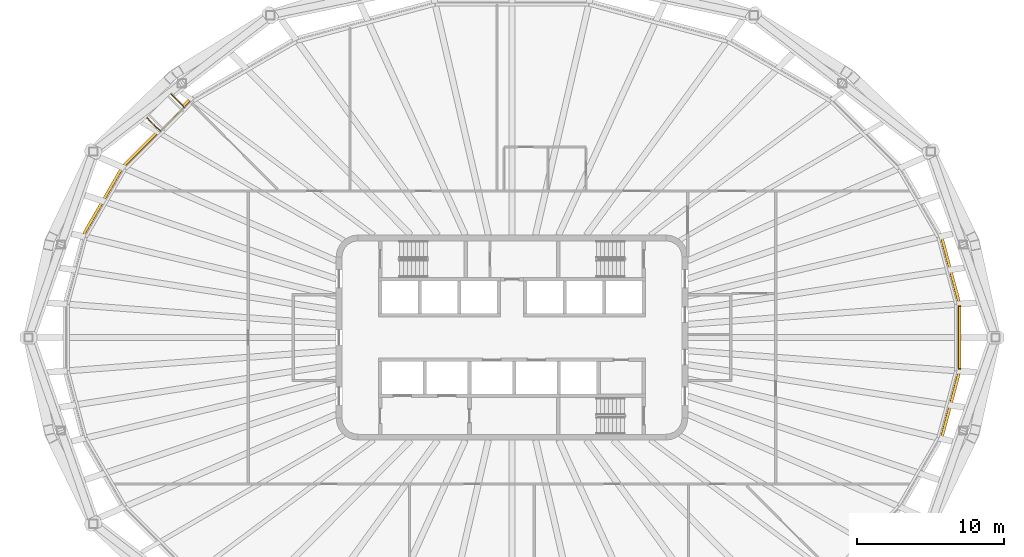
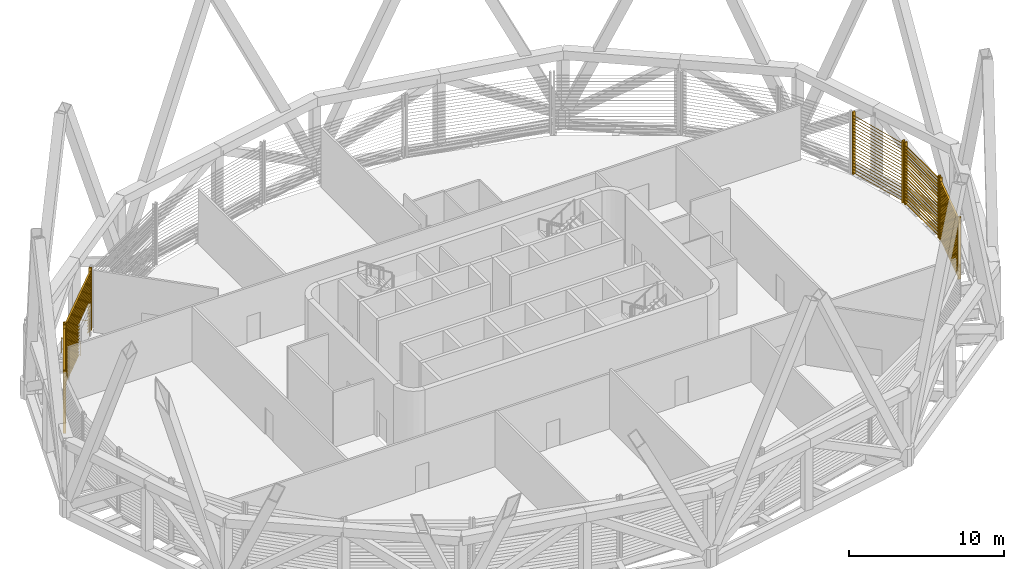
# One storey, part 15 of 17: 5 shading devices, 2 railings.
"""IFC4 building model written with IfcOpenShell, lengths in metres."""

from ifc_helpers import new_model, si_unit, direction, frame, origin, origin_2d, place, context, subcontext, project, spatial, rectangle, circle, extrude, material, type_object, element, save


model = new_model("IFC4")

# Units and contexts
model_context = context("Model", 3, precision=1e-05, world=origin(), true_north=direction((0.0, 1.0)))
body_context = subcontext(model_context, "Body", "Model", "MODEL_VIEW")
ifc_project = project(units=[si_unit("LENGTHUNIT", "METRE"), si_unit("AREAUNIT", "SQUARE_METRE"), si_unit("VOLUMEUNIT", "CUBIC_METRE"), si_unit("PLANEANGLEUNIT", "RADIAN"), si_unit("MASSUNIT", "GRAM", prefix="KILO")], contexts=[model_context])

# Site, building, storey
site_placement = place(None, origin())
site = spatial("IfcSite", under=ifc_project, at=site_placement, CompositionType="ELEMENT")
building_placement = place(site_placement, origin())
building = spatial("IfcBuilding", under=site, at=building_placement, Name="Sahrelin Media Tower", CompositionType="ELEMENT")
storey_placement = place(building_placement, frame((0.0, 0.0, 249.60009765625)))
storey = spatial("IfcBuildingStorey", under=building, at=storey_placement, Name="L54", CompositionType="ELEMENT", Elevation=249.60009765625)

# Railings
ifc_material_1 = material(Name="Stainless steel 316", Category="steel")
railing_type = type_object("IfcRailingType", Name="Maintenance platform guard", PredefinedType="GUARDRAIL", material=ifc_material_1)
railing_1_placement = place(storey_placement, frame((-22.367431640625, 15.7099609375, 0.0)))
element("IfcRailing", 1, at=railing_1_placement, inside=storey, type_object=railing_type, Name="Maintenance platform guard L54-09-A", PredefinedType="GUARDRAIL", context=body_context, shape_type="SweptSolid", body=[
    extrude(circle(Radius=0.02392578125, at=origin_2d()), frame((0.0, 0.0, 1.17578125), z_axis=(-0.707010267603, 0.707203281599, 0.0), x_axis=(-0.707203281599, -0.707010267603, 0.0)), (0.0, 0.0, 1.0), 1.264892578125),
    extrude(circle(Radius=0.02099609375, at=origin_2d()), origin(), (0.0, 0.0, 1.0), 1.15185546875),
    extrude(circle(Radius=0.02099609375, at=origin_2d()), frame((-0.447265625, 0.447265625, 0.0)), (0.0, 0.0, 1.0), 1.15185546875),
    extrude(circle(Radius=0.02099609375, at=origin_2d()), frame((-0.894287109375, 0.89453125, 0.0)), (0.0, 0.0, 1.0), 1.15185546875),
])
railing_2_placement = place(storey_placement, frame((-23.99365234375, 14.083740234375, 0.0)))
element("IfcRailing", 2, at=railing_2_placement, inside=storey, type_object=railing_type, Name="Maintenance platform guard L54-09-B", PredefinedType="GUARDRAIL", context=body_context, shape_type="SweptSolid", body=[
    extrude(circle(Radius=0.02392578125, at=origin_2d()), frame((0.0, 0.0, 1.17578125), z_axis=(-0.707203281599, 0.707010267603, 0.0), x_axis=(-0.707010267603, -0.707203281599, 0.0)), (0.0, 0.0, 1.0), 1.264892578125),
    extrude(circle(Radius=0.02099609375, at=origin_2d()), origin(), (0.0, 0.0, 1.0), 1.15185546875),
    extrude(circle(Radius=0.02099609375, at=origin_2d()), frame((-0.447265625, 0.447265625, 0.0)), (0.0, 0.0, 1.0), 1.15185546875),
    extrude(circle(Radius=0.02099609375, at=origin_2d()), frame((-0.89453125, 0.894287109375, 0.0)), (0.0, 0.0, 1.0), 1.15185546875),
])

# Shading devices
ifc_material_2 = material(Name="Champagne anodised aluminium 6063-T6", Category="aluminium")
shading_device_type = type_object("IfcShadingDeviceType", Name="Sand-rejection louvre band", PredefinedType="USERDEFINED", material=ifc_material_2)
shading_device_1_placement = place(storey_placement, frame((30.442626953125, 0.0, 0.0), z_axis=(0.0, 0.0, 1.0), x_axis=(0.0, -1.0, 0.0)))
element("IfcShadingDevice", 3, at=shading_device_1_placement, inside=storey, type_object=shading_device_type, Name="L54:LOUVRE:L54-00", ObjectType="LOUVRE", PredefinedType="USERDEFINED", context=body_context, shape_type="SweptSolid", body=[
    extrude(rectangle(XDim=0.1201171875, YDim=0.199951171875, at=origin_2d()), frame((2.16943359375, 0.10009765625, 0.050048828125), z_axis=(0.0, 0.0, 1.0), x_axis=(1.0, 0.0, 0.0)), (0.0, 0.0, 1.0), 4.8984375),
    extrude(rectangle(XDim=0.1201171875, YDim=0.199951171875, at=origin_2d()), frame((-2.16943359375, 0.10009765625, 0.050048828125), z_axis=(0.0, 0.0, 1.0), x_axis=(1.0, 0.0, 0.0)), (0.0, 0.0, 1.0), 4.8984375),
    extrude(rectangle(XDim=0.25, YDim=0.02001953125, at=origin_2d()), frame((2.109375, 0.10009765625, 0.14990234375), z_axis=(-1.0, 0.0, 0.0), x_axis=(0.0, -0.766044443119, 0.642787609687)), (0.0, 0.0, 1.0), 4.21875),
    extrude(rectangle(XDim=0.25, YDim=0.02001953125, at=origin_2d()), frame((2.109375, 0.10009765625, 0.39990234375), z_axis=(-1.0, 0.0, 0.0), x_axis=(0.0, -0.766044443119, 0.642787609687)), (0.0, 0.0, 1.0), 4.21875),
    extrude(rectangle(XDim=0.25, YDim=0.02001953125, at=origin_2d()), frame((2.109375, 0.10009765625, 0.64990234375), z_axis=(-1.0, 0.0, 0.0), x_axis=(0.0, -0.766044443119, 0.642787609687)), (0.0, 0.0, 1.0), 4.21875),
    extrude(rectangle(XDim=0.25, YDim=0.02001953125, at=origin_2d()), frame((2.109375, 0.10009765625, 0.89990234375), z_axis=(-1.0, 0.0, 0.0), x_axis=(0.0, -0.766044443119, 0.642787609687)), (0.0, 0.0, 1.0), 4.21875),
    extrude(rectangle(XDim=0.25, YDim=0.02001953125, at=origin_2d()), frame((2.109375, 0.10009765625, 1.14990234375), z_axis=(-1.0, 0.0, 0.0), x_axis=(0.0, -0.766044443119, 0.642787609687)), (0.0, 0.0, 1.0), 4.21875),
    extrude(rectangle(XDim=0.25, YDim=0.02001953125, at=origin_2d()), frame((2.109375, 0.10009765625, 1.39990234375), z_axis=(-1.0, 0.0, 0.0), x_axis=(0.0, -0.766044443119, 0.642787609687)), (0.0, 0.0, 1.0), 4.21875),
    extrude(rectangle(XDim=0.25, YDim=0.02001953125, at=origin_2d()), frame((2.109375, 0.10009765625, 1.64990234375), z_axis=(-1.0, 0.0, 0.0), x_axis=(0.0, -0.766044443119, 0.642787609687)), (0.0, 0.0, 1.0), 4.21875),
    extrude(rectangle(XDim=0.25, YDim=0.02001953125, at=origin_2d()), frame((2.109375, 0.10009765625, 1.89990234375), z_axis=(-1.0, 0.0, 0.0), x_axis=(0.0, -0.766044443119, 0.642787609687)), (0.0, 0.0, 1.0), 4.21875),
    extrude(rectangle(XDim=0.25, YDim=0.02001953125, at=origin_2d()), frame((2.109375, 0.10009765625, 2.14990234375), z_axis=(-1.0, 0.0, 0.0), x_axis=(0.0, -0.766044443119, 0.642787609687)), (0.0, 0.0, 1.0), 4.21875),
    extrude(rectangle(XDim=0.25, YDim=0.02001953125, at=origin_2d()), frame((2.109375, 0.10009765625, 2.39990234375), z_axis=(-1.0, 0.0, 0.0), x_axis=(0.0, -0.766044443119, 0.642787609687)), (0.0, 0.0, 1.0), 4.21875),
    extrude(rectangle(XDim=0.25, YDim=0.02001953125, at=origin_2d()), frame((2.109375, 0.10009765625, 2.64990234375), z_axis=(-1.0, 0.0, 0.0), x_axis=(0.0, -0.766044443119, 0.642787609687)), (0.0, 0.0, 1.0), 4.21875),
    extrude(rectangle(XDim=0.25, YDim=0.02001953125, at=origin_2d()), frame((2.109375, 0.10009765625, 2.89990234375), z_axis=(-1.0, 0.0, 0.0), x_axis=(0.0, -0.766044443119, 0.642787609687)), (0.0, 0.0, 1.0), 4.21875),
    extrude(rectangle(XDim=0.25, YDim=0.02001953125, at=origin_2d()), frame((2.109375, 0.10009765625, 3.14990234375), z_axis=(-1.0, 0.0, 0.0), x_axis=(0.0, -0.766044443119, 0.642787609687)), (0.0, 0.0, 1.0), 4.21875),
    extrude(rectangle(XDim=0.25, YDim=0.02001953125, at=origin_2d()), frame((2.109375, 0.10009765625, 3.39990234375), z_axis=(-1.0, 0.0, 0.0), x_axis=(0.0, -0.766044443119, 0.642787609687)), (0.0, 0.0, 1.0), 4.21875),
    extrude(rectangle(XDim=0.25, YDim=0.02001953125, at=origin_2d()), frame((2.109375, 0.10009765625, 3.64990234375), z_axis=(-1.0, 0.0, 0.0), x_axis=(0.0, -0.766044443119, 0.642787609687)), (0.0, 0.0, 1.0), 4.21875),
    extrude(rectangle(XDim=0.25, YDim=0.02001953125, at=origin_2d()), frame((2.109375, 0.10009765625, 3.89990234375), z_axis=(-1.0, 0.0, 0.0), x_axis=(0.0, -0.766044443119, 0.642787609687)), (0.0, 0.0, 1.0), 4.21875),
    extrude(rectangle(XDim=0.25, YDim=0.02001953125, at=origin_2d()), frame((2.109375, 0.10009765625, 4.14990234375), z_axis=(-1.0, 0.0, 0.0), x_axis=(0.0, -0.766044443119, 0.642787609687)), (0.0, 0.0, 1.0), 4.21875),
    extrude(rectangle(XDim=0.25, YDim=0.02001953125, at=origin_2d()), frame((2.109375, 0.10009765625, 4.39990234375), z_axis=(-1.0, 0.0, 0.0), x_axis=(0.0, -0.766044443119, 0.642787609687)), (0.0, 0.0, 1.0), 4.21875),
    extrude(rectangle(XDim=0.25, YDim=0.02001953125, at=origin_2d()), frame((2.109375, 0.10009765625, 4.64990234375), z_axis=(-1.0, 0.0, 0.0), x_axis=(0.0, -0.766044443119, 0.642787609687)), (0.0, 0.0, 1.0), 4.21875),
])
shading_device_2_placement = place(storey_placement, frame((29.82568359375, 4.581787109375, 0.0), z_axis=(0.0, 0.0, 1.0), x_axis=(0.258807731996, -0.965928857556, 0.0)))
element("IfcShadingDevice", 4, at=shading_device_2_placement, inside=storey, type_object=shading_device_type, Name="L54:LOUVRE:L54-01", ObjectType="LOUVRE", PredefinedType="USERDEFINED", context=body_context, shape_type="SweptSolid", body=[
    extrude(rectangle(XDim=0.1201171875, YDim=0.199951171875, at=origin_2d()), frame((2.2734375, 0.10009765625, 0.050048828125), z_axis=(0.0, 0.0, 1.0), x_axis=(1.0, 0.0, 0.0)), (0.0, 0.0, 1.0), 4.8984375),
    extrude(rectangle(XDim=0.1201171875, YDim=0.199951171875, at=origin_2d()), frame((-2.2734375, 0.10009765625, 0.050048828125), z_axis=(0.0, 0.0, 1.0), x_axis=(1.0, 0.0, 0.0)), (0.0, 0.0, 1.0), 4.8984375),
    extrude(rectangle(XDim=0.25, YDim=0.02001953125, at=origin_2d()), frame((2.21337890625, 0.10009765625, 0.14990234375), z_axis=(-1.0, 0.0, 0.0), x_axis=(0.0, -0.766044443119, 0.642787609687)), (0.0, 0.0, 1.0), 4.4267578125),
    extrude(rectangle(XDim=0.25, YDim=0.02001953125, at=origin_2d()), frame((2.21337890625, 0.10009765625, 0.39990234375), z_axis=(-1.0, 0.0, 0.0), x_axis=(0.0, -0.766044443119, 0.642787609687)), (0.0, 0.0, 1.0), 4.4267578125),
    extrude(rectangle(XDim=0.25, YDim=0.02001953125, at=origin_2d()), frame((2.21337890625, 0.10009765625, 0.64990234375), z_axis=(-1.0, 0.0, 0.0), x_axis=(0.0, -0.766044443119, 0.642787609687)), (0.0, 0.0, 1.0), 4.4267578125),
    extrude(rectangle(XDim=0.25, YDim=0.02001953125, at=origin_2d()), frame((2.21337890625, 0.10009765625, 0.89990234375), z_axis=(-1.0, 0.0, 0.0), x_axis=(0.0, -0.766044443119, 0.642787609687)), (0.0, 0.0, 1.0), 4.4267578125),
    extrude(rectangle(XDim=0.25, YDim=0.02001953125, at=origin_2d()), frame((2.21337890625, 0.10009765625, 1.14990234375), z_axis=(-1.0, 0.0, 0.0), x_axis=(0.0, -0.766044443119, 0.642787609687)), (0.0, 0.0, 1.0), 4.4267578125),
    extrude(rectangle(XDim=0.25, YDim=0.02001953125, at=origin_2d()), frame((2.21337890625, 0.10009765625, 1.39990234375), z_axis=(-1.0, 0.0, 0.0), x_axis=(0.0, -0.766044443119, 0.642787609687)), (0.0, 0.0, 1.0), 4.4267578125),
    extrude(rectangle(XDim=0.25, YDim=0.02001953125, at=origin_2d()), frame((2.21337890625, 0.10009765625, 1.64990234375), z_axis=(-1.0, 0.0, 0.0), x_axis=(0.0, -0.766044443119, 0.642787609687)), (0.0, 0.0, 1.0), 4.4267578125),
    extrude(rectangle(XDim=0.25, YDim=0.02001953125, at=origin_2d()), frame((2.21337890625, 0.10009765625, 1.89990234375), z_axis=(-1.0, 0.0, 0.0), x_axis=(0.0, -0.766044443119, 0.642787609687)), (0.0, 0.0, 1.0), 4.4267578125),
    extrude(rectangle(XDim=0.25, YDim=0.02001953125, at=origin_2d()), frame((2.21337890625, 0.10009765625, 2.14990234375), z_axis=(-1.0, 0.0, 0.0), x_axis=(0.0, -0.766044443119, 0.642787609687)), (0.0, 0.0, 1.0), 4.4267578125),
    extrude(rectangle(XDim=0.25, YDim=0.02001953125, at=origin_2d()), frame((2.21337890625, 0.10009765625, 2.39990234375), z_axis=(-1.0, 0.0, 0.0), x_axis=(0.0, -0.766044443119, 0.642787609687)), (0.0, 0.0, 1.0), 4.4267578125),
    extrude(rectangle(XDim=0.25, YDim=0.02001953125, at=origin_2d()), frame((2.21337890625, 0.10009765625, 2.64990234375), z_axis=(-1.0, 0.0, 0.0), x_axis=(0.0, -0.766044443119, 0.642787609687)), (0.0, 0.0, 1.0), 4.4267578125),
    extrude(rectangle(XDim=0.25, YDim=0.02001953125, at=origin_2d()), frame((2.21337890625, 0.10009765625, 2.89990234375), z_axis=(-1.0, 0.0, 0.0), x_axis=(0.0, -0.766044443119, 0.642787609687)), (0.0, 0.0, 1.0), 4.4267578125),
    extrude(rectangle(XDim=0.25, YDim=0.02001953125, at=origin_2d()), frame((2.21337890625, 0.10009765625, 3.14990234375), z_axis=(-1.0, 0.0, 0.0), x_axis=(0.0, -0.766044443119, 0.642787609687)), (0.0, 0.0, 1.0), 4.4267578125),
    extrude(rectangle(XDim=0.25, YDim=0.02001953125, at=origin_2d()), frame((2.21337890625, 0.10009765625, 3.39990234375), z_axis=(-1.0, 0.0, 0.0), x_axis=(0.0, -0.766044443119, 0.642787609687)), (0.0, 0.0, 1.0), 4.4267578125),
    extrude(rectangle(XDim=0.25, YDim=0.02001953125, at=origin_2d()), frame((2.21337890625, 0.10009765625, 3.64990234375), z_axis=(-1.0, 0.0, 0.0), x_axis=(0.0, -0.766044443119, 0.642787609687)), (0.0, 0.0, 1.0), 4.4267578125),
    extrude(rectangle(XDim=0.25, YDim=0.02001953125, at=origin_2d()), frame((2.21337890625, 0.10009765625, 3.89990234375), z_axis=(-1.0, 0.0, 0.0), x_axis=(0.0, -0.766044443119, 0.642787609687)), (0.0, 0.0, 1.0), 4.4267578125),
    extrude(rectangle(XDim=0.25, YDim=0.02001953125, at=origin_2d()), frame((2.21337890625, 0.10009765625, 4.14990234375), z_axis=(-1.0, 0.0, 0.0), x_axis=(0.0, -0.766044443119, 0.642787609687)), (0.0, 0.0, 1.0), 4.4267578125),
    extrude(rectangle(XDim=0.25, YDim=0.02001953125, at=origin_2d()), frame((2.21337890625, 0.10009765625, 4.39990234375), z_axis=(-1.0, 0.0, 0.0), x_axis=(0.0, -0.766044443119, 0.642787609687)), (0.0, 0.0, 1.0), 4.4267578125),
    extrude(rectangle(XDim=0.25, YDim=0.02001953125, at=origin_2d()), frame((2.21337890625, 0.10009765625, 4.64990234375), z_axis=(-1.0, 0.0, 0.0), x_axis=(0.0, -0.766044443119, 0.642787609687)), (0.0, 0.0, 1.0), 4.4267578125),
])
shading_device_3_placement = place(storey_placement, frame((-24.170654296875, 13.906982421875, 0.0), z_axis=(0.0, 0.0, 1.0), x_axis=(0.707106781187, 0.707106781187, 0.0)))
element("IfcShadingDevice", 5, at=shading_device_3_placement, inside=storey, type_object=shading_device_type, Name="L54:LOUVRE:L54-09", ObjectType="LOUVRE", PredefinedType="USERDEFINED", context=body_context, shape_type="SweptSolid", body=[
    extrude(rectangle(XDim=0.1201171875, YDim=0.199951171875, at=origin_2d()), frame((3.18115234375, 0.10009765625, 0.050048828125), z_axis=(0.0, 0.0, 1.0), x_axis=(1.0, 0.0, 0.0)), (0.0, 0.0, 1.0), 4.8984375),
    extrude(rectangle(XDim=0.1201171875, YDim=0.199951171875, at=origin_2d()), frame((-3.18115234375, 0.10009765625, 0.050048828125), z_axis=(0.0, 0.0, 1.0), x_axis=(1.0, 0.0, 0.0)), (0.0, 0.0, 1.0), 4.8984375),
    extrude(rectangle(XDim=0.25, YDim=0.02001953125, at=origin_2d()), frame((3.12109375, 0.10009765625, 0.14990234375), z_axis=(-1.0, 0.0, 0.0), x_axis=(0.0, -0.766044443119, 0.642787609687)), (0.0, 0.0, 1.0), 0.4208984375),
    extrude(rectangle(XDim=0.25, YDim=0.02001953125, at=origin_2d()), frame((0.10009765625, 0.10009765625, 0.14990234375), z_axis=(-1.0, 0.0, 0.0), x_axis=(0.0, -0.766044443119, 0.642787609687)), (0.0, 0.0, 1.0), 3.22119140625),
    extrude(rectangle(XDim=0.25, YDim=0.02001953125, at=origin_2d()), frame((3.12109375, 0.10009765625, 0.39990234375), z_axis=(-1.0, 0.0, 0.0), x_axis=(0.0, -0.766044443119, 0.642787609687)), (0.0, 0.0, 1.0), 0.4208984375),
    extrude(rectangle(XDim=0.25, YDim=0.02001953125, at=origin_2d()), frame((0.10009765625, 0.10009765625, 0.39990234375), z_axis=(-1.0, 0.0, 0.0), x_axis=(0.0, -0.766044443119, 0.642787609687)), (0.0, 0.0, 1.0), 3.22119140625),
    extrude(rectangle(XDim=0.25, YDim=0.02001953125, at=origin_2d()), frame((3.12109375, 0.10009765625, 0.64990234375), z_axis=(-1.0, 0.0, 0.0), x_axis=(0.0, -0.766044443119, 0.642787609687)), (0.0, 0.0, 1.0), 0.4208984375),
    extrude(rectangle(XDim=0.25, YDim=0.02001953125, at=origin_2d()), frame((0.10009765625, 0.10009765625, 0.64990234375), z_axis=(-1.0, 0.0, 0.0), x_axis=(0.0, -0.766044443119, 0.642787609687)), (0.0, 0.0, 1.0), 3.22119140625),
    extrude(rectangle(XDim=0.25, YDim=0.02001953125, at=origin_2d()), frame((3.12109375, 0.10009765625, 0.89990234375), z_axis=(-1.0, 0.0, 0.0), x_axis=(0.0, -0.766044443119, 0.642787609687)), (0.0, 0.0, 1.0), 0.4208984375),
    extrude(rectangle(XDim=0.25, YDim=0.02001953125, at=origin_2d()), frame((0.10009765625, 0.10009765625, 0.89990234375), z_axis=(-1.0, 0.0, 0.0), x_axis=(0.0, -0.766044443119, 0.642787609687)), (0.0, 0.0, 1.0), 3.22119140625),
    extrude(rectangle(XDim=0.25, YDim=0.02001953125, at=origin_2d()), frame((3.12109375, 0.10009765625, 1.14990234375), z_axis=(-1.0, 0.0, 0.0), x_axis=(0.0, -0.766044443119, 0.642787609687)), (0.0, 0.0, 1.0), 0.4208984375),
    extrude(rectangle(XDim=0.25, YDim=0.02001953125, at=origin_2d()), frame((0.10009765625, 0.10009765625, 1.14990234375), z_axis=(-1.0, 0.0, 0.0), x_axis=(0.0, -0.766044443119, 0.642787609687)), (0.0, 0.0, 1.0), 3.22119140625),
    extrude(rectangle(XDim=0.25, YDim=0.02001953125, at=origin_2d()), frame((3.12109375, 0.10009765625, 1.39990234375), z_axis=(-1.0, 0.0, 0.0), x_axis=(0.0, -0.766044443119, 0.642787609687)), (0.0, 0.0, 1.0), 0.4208984375),
    extrude(rectangle(XDim=0.25, YDim=0.02001953125, at=origin_2d()), frame((0.10009765625, 0.10009765625, 1.39990234375), z_axis=(-1.0, 0.0, 0.0), x_axis=(0.0, -0.766044443119, 0.642787609687)), (0.0, 0.0, 1.0), 3.22119140625),
    extrude(rectangle(XDim=0.25, YDim=0.02001953125, at=origin_2d()), frame((3.12109375, 0.10009765625, 1.64990234375), z_axis=(-1.0, 0.0, 0.0), x_axis=(0.0, -0.766044443119, 0.642787609687)), (0.0, 0.0, 1.0), 0.4208984375),
    extrude(rectangle(XDim=0.25, YDim=0.02001953125, at=origin_2d()), frame((0.10009765625, 0.10009765625, 1.64990234375), z_axis=(-1.0, 0.0, 0.0), x_axis=(0.0, -0.766044443119, 0.642787609687)), (0.0, 0.0, 1.0), 3.22119140625),
    extrude(rectangle(XDim=0.25, YDim=0.02001953125, at=origin_2d()), frame((3.12109375, 0.10009765625, 1.89990234375), z_axis=(-1.0, 0.0, 0.0), x_axis=(0.0, -0.766044443119, 0.642787609687)), (0.0, 0.0, 1.0), 0.4208984375),
    extrude(rectangle(XDim=0.25, YDim=0.02001953125, at=origin_2d()), frame((0.10009765625, 0.10009765625, 1.89990234375), z_axis=(-1.0, 0.0, 0.0), x_axis=(0.0, -0.766044443119, 0.642787609687)), (0.0, 0.0, 1.0), 3.22119140625),
    extrude(rectangle(XDim=0.25, YDim=0.02001953125, at=origin_2d()), frame((3.12109375, 0.10009765625, 2.14990234375), z_axis=(-1.0, 0.0, 0.0), x_axis=(0.0, -0.766044443119, 0.642787609687)), (0.0, 0.0, 1.0), 0.4208984375),
    extrude(rectangle(XDim=0.25, YDim=0.02001953125, at=origin_2d()), frame((0.10009765625, 0.10009765625, 2.14990234375), z_axis=(-1.0, 0.0, 0.0), x_axis=(0.0, -0.766044443119, 0.642787609687)), (0.0, 0.0, 1.0), 3.22119140625),
    extrude(rectangle(XDim=0.25, YDim=0.02001953125, at=origin_2d()), frame((3.12109375, 0.10009765625, 2.39990234375), z_axis=(-1.0, 0.0, 0.0), x_axis=(0.0, -0.766044443119, 0.642787609687)), (0.0, 0.0, 1.0), 0.4208984375),
    extrude(rectangle(XDim=0.25, YDim=0.02001953125, at=origin_2d()), frame((0.10009765625, 0.10009765625, 2.39990234375), z_axis=(-1.0, 0.0, 0.0), x_axis=(0.0, -0.766044443119, 0.642787609687)), (0.0, 0.0, 1.0), 3.22119140625),
    extrude(rectangle(XDim=0.25, YDim=0.02001953125, at=origin_2d()), frame((3.12109375, 0.10009765625, 2.64990234375), z_axis=(-1.0, 0.0, 0.0), x_axis=(0.0, -0.766044443119, 0.642787609687)), (0.0, 0.0, 1.0), 6.2421875),
    extrude(rectangle(XDim=0.25, YDim=0.02001953125, at=origin_2d()), frame((3.12109375, 0.10009765625, 2.89990234375), z_axis=(-1.0, 0.0, 0.0), x_axis=(0.0, -0.766044443119, 0.642787609687)), (0.0, 0.0, 1.0), 6.2421875),
    extrude(rectangle(XDim=0.25, YDim=0.02001953125, at=origin_2d()), frame((3.12109375, 0.10009765625, 3.14990234375), z_axis=(-1.0, 0.0, 0.0), x_axis=(0.0, -0.766044443119, 0.642787609687)), (0.0, 0.0, 1.0), 6.2421875),
    extrude(rectangle(XDim=0.25, YDim=0.02001953125, at=origin_2d()), frame((3.12109375, 0.10009765625, 3.39990234375), z_axis=(-1.0, 0.0, 0.0), x_axis=(0.0, -0.766044443119, 0.642787609687)), (0.0, 0.0, 1.0), 6.2421875),
    extrude(rectangle(XDim=0.25, YDim=0.02001953125, at=origin_2d()), frame((3.12109375, 0.10009765625, 3.64990234375), z_axis=(-1.0, 0.0, 0.0), x_axis=(0.0, -0.766044443119, 0.642787609687)), (0.0, 0.0, 1.0), 6.2421875),
    extrude(rectangle(XDim=0.25, YDim=0.02001953125, at=origin_2d()), frame((3.12109375, 0.10009765625, 3.89990234375), z_axis=(-1.0, 0.0, 0.0), x_axis=(0.0, -0.766044443119, 0.642787609687)), (0.0, 0.0, 1.0), 6.2421875),
    extrude(rectangle(XDim=0.25, YDim=0.02001953125, at=origin_2d()), frame((3.12109375, 0.10009765625, 4.14990234375), z_axis=(-1.0, 0.0, 0.0), x_axis=(0.0, -0.766044443119, 0.642787609687)), (0.0, 0.0, 1.0), 6.2421875),
    extrude(rectangle(XDim=0.25, YDim=0.02001953125, at=origin_2d()), frame((3.12109375, 0.10009765625, 4.39990234375), z_axis=(-1.0, 0.0, 0.0), x_axis=(0.0, -0.766044443119, 0.642787609687)), (0.0, 0.0, 1.0), 6.2421875),
    extrude(rectangle(XDim=0.25, YDim=0.02001953125, at=origin_2d()), frame((3.12109375, 0.10009765625, 4.64990234375), z_axis=(-1.0, 0.0, 0.0), x_axis=(0.0, -0.766044443119, 0.642787609687)), (0.0, 0.0, 1.0), 6.2421875),
])
shading_device_4_placement = place(storey_placement, frame((-27.853271484375, 9.231689453125, 0.0), z_axis=(0.0, 0.0, 1.0), x_axis=(0.500011000363, 0.866019052629, 0.0)))
element("IfcShadingDevice", 6, at=shading_device_4_placement, inside=storey, type_object=shading_device_type, Name="L54:LOUVRE:L54-10", ObjectType="LOUVRE", PredefinedType="USERDEFINED", context=body_context, shape_type="SweptSolid", body=[
    extrude(rectangle(XDim=0.1201171875, YDim=0.199951171875, at=origin_2d()), frame((2.60107421875, 0.10009765625, 0.050048828125), z_axis=(0.0, 0.0, 1.0), x_axis=(1.0, 0.0, 0.0)), (0.0, 0.0, 1.0), 4.8984375),
    extrude(rectangle(XDim=0.1201171875, YDim=0.199951171875, at=origin_2d()), frame((-2.60107421875, 0.10009765625, 0.050048828125), z_axis=(0.0, 0.0, 1.0), x_axis=(1.0, 0.0, 0.0)), (0.0, 0.0, 1.0), 4.8984375),
    extrude(rectangle(XDim=0.25, YDim=0.02001953125, at=origin_2d()), frame((2.541015625, 0.10009765625, 0.14990234375), z_axis=(-1.0, 0.0, 0.0), x_axis=(0.0, -0.766044443119, 0.642787609687)), (0.0, 0.0, 1.0), 5.08203125),
    extrude(rectangle(XDim=0.25, YDim=0.02001953125, at=origin_2d()), frame((2.541015625, 0.10009765625, 0.39990234375), z_axis=(-1.0, 0.0, 0.0), x_axis=(0.0, -0.766044443119, 0.642787609687)), (0.0, 0.0, 1.0), 5.08203125),
    extrude(rectangle(XDim=0.25, YDim=0.02001953125, at=origin_2d()), frame((2.541015625, 0.10009765625, 0.64990234375), z_axis=(-1.0, 0.0, 0.0), x_axis=(0.0, -0.766044443119, 0.642787609687)), (0.0, 0.0, 1.0), 5.08203125),
    extrude(rectangle(XDim=0.25, YDim=0.02001953125, at=origin_2d()), frame((2.541015625, 0.10009765625, 0.89990234375), z_axis=(-1.0, 0.0, 0.0), x_axis=(0.0, -0.766044443119, 0.642787609687)), (0.0, 0.0, 1.0), 5.08203125),
    extrude(rectangle(XDim=0.25, YDim=0.02001953125, at=origin_2d()), frame((2.541015625, 0.10009765625, 1.14990234375), z_axis=(-1.0, 0.0, 0.0), x_axis=(0.0, -0.766044443119, 0.642787609687)), (0.0, 0.0, 1.0), 5.08203125),
    extrude(rectangle(XDim=0.25, YDim=0.02001953125, at=origin_2d()), frame((2.541015625, 0.10009765625, 1.39990234375), z_axis=(-1.0, 0.0, 0.0), x_axis=(0.0, -0.766044443119, 0.642787609687)), (0.0, 0.0, 1.0), 5.08203125),
    extrude(rectangle(XDim=0.25, YDim=0.02001953125, at=origin_2d()), frame((2.541015625, 0.10009765625, 1.64990234375), z_axis=(-1.0, 0.0, 0.0), x_axis=(0.0, -0.766044443119, 0.642787609687)), (0.0, 0.0, 1.0), 5.08203125),
    extrude(rectangle(XDim=0.25, YDim=0.02001953125, at=origin_2d()), frame((2.541015625, 0.10009765625, 1.89990234375), z_axis=(-1.0, 0.0, 0.0), x_axis=(0.0, -0.766044443119, 0.642787609687)), (0.0, 0.0, 1.0), 5.08203125),
    extrude(rectangle(XDim=0.25, YDim=0.02001953125, at=origin_2d()), frame((2.541015625, 0.10009765625, 2.14990234375), z_axis=(-1.0, 0.0, 0.0), x_axis=(0.0, -0.766044443119, 0.642787609687)), (0.0, 0.0, 1.0), 5.08203125),
    extrude(rectangle(XDim=0.25, YDim=0.02001953125, at=origin_2d()), frame((2.541015625, 0.10009765625, 2.39990234375), z_axis=(-1.0, 0.0, 0.0), x_axis=(0.0, -0.766044443119, 0.642787609687)), (0.0, 0.0, 1.0), 5.08203125),
    extrude(rectangle(XDim=0.25, YDim=0.02001953125, at=origin_2d()), frame((2.541015625, 0.10009765625, 2.64990234375), z_axis=(-1.0, 0.0, 0.0), x_axis=(0.0, -0.766044443119, 0.642787609687)), (0.0, 0.0, 1.0), 5.08203125),
    extrude(rectangle(XDim=0.25, YDim=0.02001953125, at=origin_2d()), frame((2.541015625, 0.10009765625, 2.89990234375), z_axis=(-1.0, 0.0, 0.0), x_axis=(0.0, -0.766044443119, 0.642787609687)), (0.0, 0.0, 1.0), 5.08203125),
    extrude(rectangle(XDim=0.25, YDim=0.02001953125, at=origin_2d()), frame((2.541015625, 0.10009765625, 3.14990234375), z_axis=(-1.0, 0.0, 0.0), x_axis=(0.0, -0.766044443119, 0.642787609687)), (0.0, 0.0, 1.0), 5.08203125),
    extrude(rectangle(XDim=0.25, YDim=0.02001953125, at=origin_2d()), frame((2.541015625, 0.10009765625, 3.39990234375), z_axis=(-1.0, 0.0, 0.0), x_axis=(0.0, -0.766044443119, 0.642787609687)), (0.0, 0.0, 1.0), 5.08203125),
    extrude(rectangle(XDim=0.25, YDim=0.02001953125, at=origin_2d()), frame((2.541015625, 0.10009765625, 3.64990234375), z_axis=(-1.0, 0.0, 0.0), x_axis=(0.0, -0.766044443119, 0.642787609687)), (0.0, 0.0, 1.0), 5.08203125),
    extrude(rectangle(XDim=0.25, YDim=0.02001953125, at=origin_2d()), frame((2.541015625, 0.10009765625, 3.89990234375), z_axis=(-1.0, 0.0, 0.0), x_axis=(0.0, -0.766044443119, 0.642787609687)), (0.0, 0.0, 1.0), 5.08203125),
    extrude(rectangle(XDim=0.25, YDim=0.02001953125, at=origin_2d()), frame((2.541015625, 0.10009765625, 4.14990234375), z_axis=(-1.0, 0.0, 0.0), x_axis=(0.0, -0.766044443119, 0.642787609687)), (0.0, 0.0, 1.0), 5.08203125),
    extrude(rectangle(XDim=0.25, YDim=0.02001953125, at=origin_2d()), frame((2.541015625, 0.10009765625, 4.39990234375), z_axis=(-1.0, 0.0, 0.0), x_axis=(0.0, -0.766044443119, 0.642787609687)), (0.0, 0.0, 1.0), 5.08203125),
    extrude(rectangle(XDim=0.25, YDim=0.02001953125, at=origin_2d()), frame((2.541015625, 0.10009765625, 4.64990234375), z_axis=(-1.0, 0.0, 0.0), x_axis=(0.0, -0.766044443119, 0.642787609687)), (0.0, 0.0, 1.0), 5.08203125),
])
shading_device_5_placement = place(storey_placement, frame((29.82568359375, -4.581787109375, 0.0), z_axis=(0.0, 0.0, 1.0), x_axis=(-0.258807731996, -0.965928857556, 0.0)))
element("IfcShadingDevice", 7, at=shading_device_5_placement, inside=storey, type_object=shading_device_type, Name="L54:LOUVRE:L54-23", ObjectType="LOUVRE", PredefinedType="USERDEFINED", context=body_context, shape_type="SweptSolid", body=[
    extrude(rectangle(XDim=0.1201171875, YDim=0.199951171875, at=origin_2d()), frame((2.2734375, 0.10009765625, 0.050048828125), z_axis=(0.0, 0.0, 1.0), x_axis=(1.0, 0.0, 0.0)), (0.0, 0.0, 1.0), 4.8984375),
    extrude(rectangle(XDim=0.1201171875, YDim=0.199951171875, at=origin_2d()), frame((-2.2734375, 0.10009765625, 0.050048828125), z_axis=(0.0, 0.0, 1.0), x_axis=(1.0, 0.0, 0.0)), (0.0, 0.0, 1.0), 4.8984375),
    extrude(rectangle(XDim=0.25, YDim=0.02001953125, at=origin_2d()), frame((2.21337890625, 0.10009765625, 0.14990234375), z_axis=(-1.0, 0.0, 0.0), x_axis=(0.0, -0.766044443119, 0.642787609687)), (0.0, 0.0, 1.0), 4.4267578125),
    extrude(rectangle(XDim=0.25, YDim=0.02001953125, at=origin_2d()), frame((2.21337890625, 0.10009765625, 0.39990234375), z_axis=(-1.0, 0.0, 0.0), x_axis=(0.0, -0.766044443119, 0.642787609687)), (0.0, 0.0, 1.0), 4.4267578125),
    extrude(rectangle(XDim=0.25, YDim=0.02001953125, at=origin_2d()), frame((2.21337890625, 0.10009765625, 0.64990234375), z_axis=(-1.0, 0.0, 0.0), x_axis=(0.0, -0.766044443119, 0.642787609687)), (0.0, 0.0, 1.0), 4.4267578125),
    extrude(rectangle(XDim=0.25, YDim=0.02001953125, at=origin_2d()), frame((2.21337890625, 0.10009765625, 0.89990234375), z_axis=(-1.0, 0.0, 0.0), x_axis=(0.0, -0.766044443119, 0.642787609687)), (0.0, 0.0, 1.0), 4.4267578125),
    extrude(rectangle(XDim=0.25, YDim=0.02001953125, at=origin_2d()), frame((2.21337890625, 0.10009765625, 1.14990234375), z_axis=(-1.0, 0.0, 0.0), x_axis=(0.0, -0.766044443119, 0.642787609687)), (0.0, 0.0, 1.0), 4.4267578125),
    extrude(rectangle(XDim=0.25, YDim=0.02001953125, at=origin_2d()), frame((2.21337890625, 0.10009765625, 1.39990234375), z_axis=(-1.0, 0.0, 0.0), x_axis=(0.0, -0.766044443119, 0.642787609687)), (0.0, 0.0, 1.0), 4.4267578125),
    extrude(rectangle(XDim=0.25, YDim=0.02001953125, at=origin_2d()), frame((2.21337890625, 0.10009765625, 1.64990234375), z_axis=(-1.0, 0.0, 0.0), x_axis=(0.0, -0.766044443119, 0.642787609687)), (0.0, 0.0, 1.0), 4.4267578125),
    extrude(rectangle(XDim=0.25, YDim=0.02001953125, at=origin_2d()), frame((2.21337890625, 0.10009765625, 1.89990234375), z_axis=(-1.0, 0.0, 0.0), x_axis=(0.0, -0.766044443119, 0.642787609687)), (0.0, 0.0, 1.0), 4.4267578125),
    extrude(rectangle(XDim=0.25, YDim=0.02001953125, at=origin_2d()), frame((2.21337890625, 0.10009765625, 2.14990234375), z_axis=(-1.0, 0.0, 0.0), x_axis=(0.0, -0.766044443119, 0.642787609687)), (0.0, 0.0, 1.0), 4.4267578125),
    extrude(rectangle(XDim=0.25, YDim=0.02001953125, at=origin_2d()), frame((2.21337890625, 0.10009765625, 2.39990234375), z_axis=(-1.0, 0.0, 0.0), x_axis=(0.0, -0.766044443119, 0.642787609687)), (0.0, 0.0, 1.0), 4.4267578125),
    extrude(rectangle(XDim=0.25, YDim=0.02001953125, at=origin_2d()), frame((2.21337890625, 0.10009765625, 2.64990234375), z_axis=(-1.0, 0.0, 0.0), x_axis=(0.0, -0.766044443119, 0.642787609687)), (0.0, 0.0, 1.0), 4.4267578125),
    extrude(rectangle(XDim=0.25, YDim=0.02001953125, at=origin_2d()), frame((2.21337890625, 0.10009765625, 2.89990234375), z_axis=(-1.0, 0.0, 0.0), x_axis=(0.0, -0.766044443119, 0.642787609687)), (0.0, 0.0, 1.0), 4.4267578125),
    extrude(rectangle(XDim=0.25, YDim=0.02001953125, at=origin_2d()), frame((2.21337890625, 0.10009765625, 3.14990234375), z_axis=(-1.0, 0.0, 0.0), x_axis=(0.0, -0.766044443119, 0.642787609687)), (0.0, 0.0, 1.0), 4.4267578125),
    extrude(rectangle(XDim=0.25, YDim=0.02001953125, at=origin_2d()), frame((2.21337890625, 0.10009765625, 3.39990234375), z_axis=(-1.0, 0.0, 0.0), x_axis=(0.0, -0.766044443119, 0.642787609687)), (0.0, 0.0, 1.0), 4.4267578125),
    extrude(rectangle(XDim=0.25, YDim=0.02001953125, at=origin_2d()), frame((2.21337890625, 0.10009765625, 3.64990234375), z_axis=(-1.0, 0.0, 0.0), x_axis=(0.0, -0.766044443119, 0.642787609687)), (0.0, 0.0, 1.0), 4.4267578125),
    extrude(rectangle(XDim=0.25, YDim=0.02001953125, at=origin_2d()), frame((2.21337890625, 0.10009765625, 3.89990234375), z_axis=(-1.0, 0.0, 0.0), x_axis=(0.0, -0.766044443119, 0.642787609687)), (0.0, 0.0, 1.0), 4.4267578125),
    extrude(rectangle(XDim=0.25, YDim=0.02001953125, at=origin_2d()), frame((2.21337890625, 0.10009765625, 4.14990234375), z_axis=(-1.0, 0.0, 0.0), x_axis=(0.0, -0.766044443119, 0.642787609687)), (0.0, 0.0, 1.0), 4.4267578125),
    extrude(rectangle(XDim=0.25, YDim=0.02001953125, at=origin_2d()), frame((2.21337890625, 0.10009765625, 4.39990234375), z_axis=(-1.0, 0.0, 0.0), x_axis=(0.0, -0.766044443119, 0.642787609687)), (0.0, 0.0, 1.0), 4.4267578125),
    extrude(rectangle(XDim=0.25, YDim=0.02001953125, at=origin_2d()), frame((2.21337890625, 0.10009765625, 4.64990234375), z_axis=(-1.0, 0.0, 0.0), x_axis=(0.0, -0.766044443119, 0.642787609687)), (0.0, 0.0, 1.0), 4.4267578125),
])

save(model, "model.ifc")
